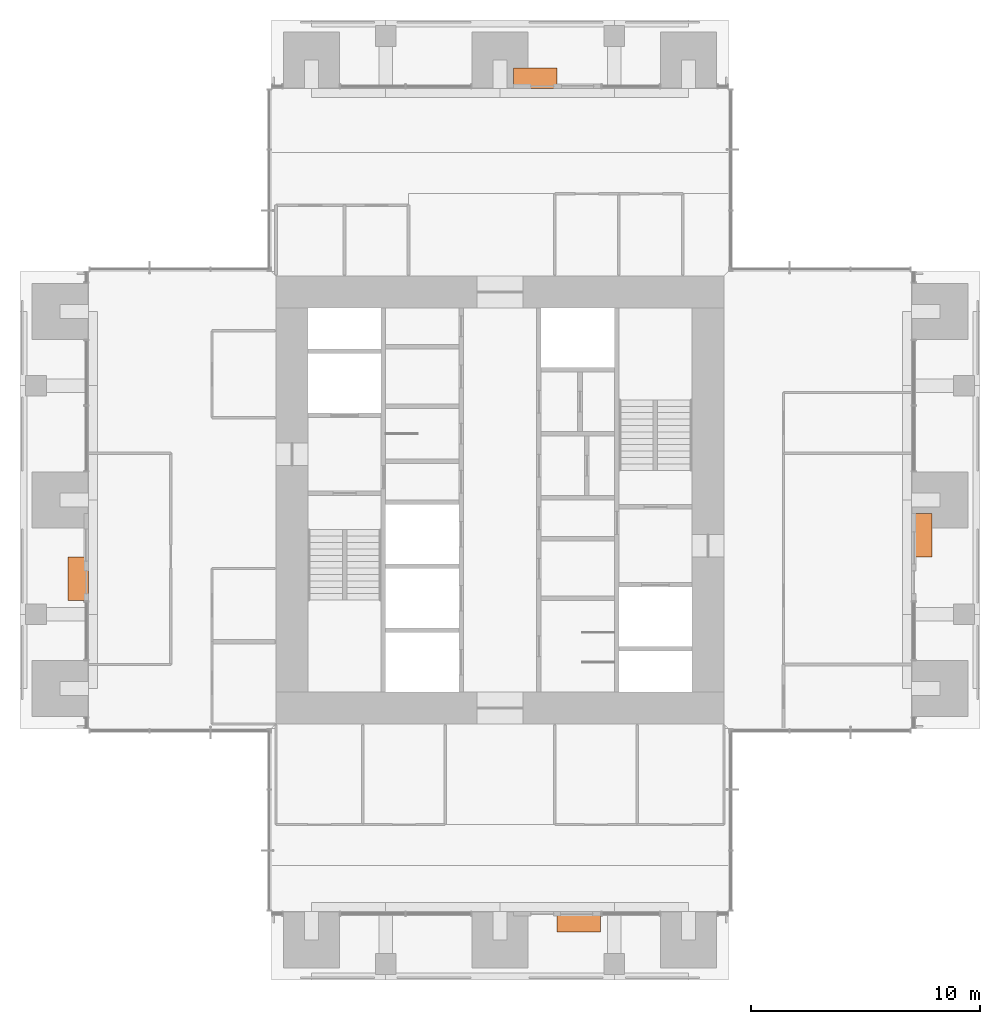
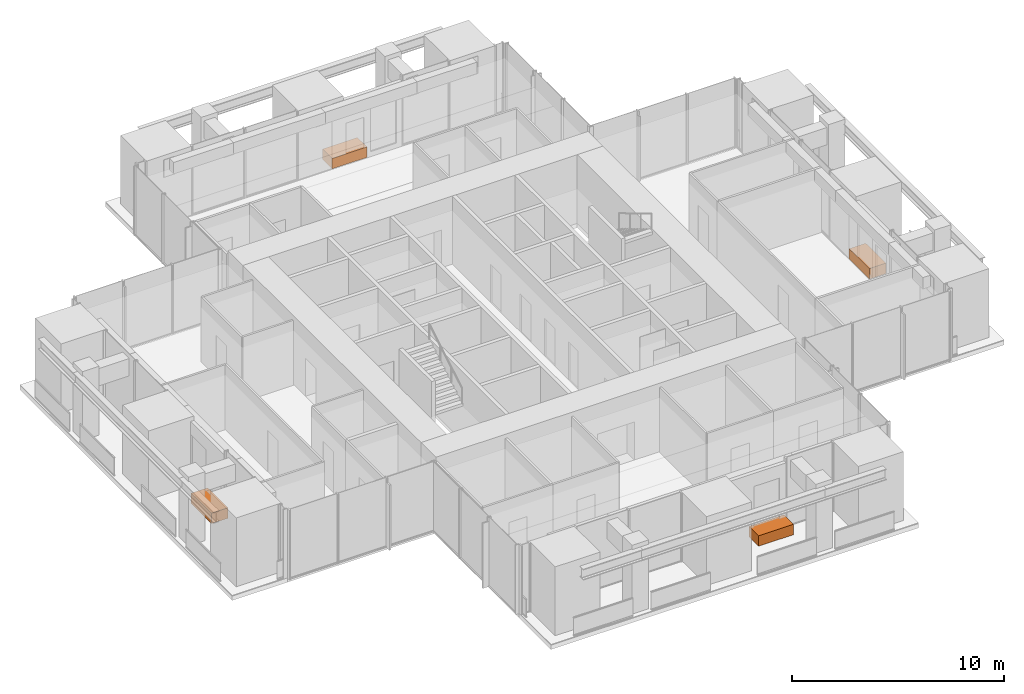
# One storey, part 17 of 17: 4 proxies.
"""IFC4 building model written with IfcOpenShell, lengths in metres."""

from ifc_helpers import new_model, si_unit, direction, frame, origin, origin_2d, place, context, subcontext, project, spatial, rectangle, extrude, element, save


model = new_model("IFC4")

# Units and contexts
model_context = context("Model", 3, precision=1e-05, world=origin(), true_north=direction((0.0, 1.0)))
body_context = subcontext(model_context, "Body", "Model", "MODEL_VIEW")
ifc_project = project(units=[si_unit("LENGTHUNIT", "METRE"), si_unit("AREAUNIT", "SQUARE_METRE"), si_unit("VOLUMEUNIT", "CUBIC_METRE"), si_unit("PLANEANGLEUNIT", "RADIAN"), si_unit("MASSUNIT", "GRAM", prefix="KILO")], contexts=[model_context])

# Site, building, storey
site_placement = place(None, origin())
site = spatial("IfcSite", under=ifc_project, at=site_placement, CompositionType="ELEMENT")
building_placement = place(site_placement, origin())
building = spatial("IfcBuilding", under=site, at=building_placement, Name="Svetlomir Tower", CompositionType="ELEMENT")
storey_placement = place(building_placement, frame((0.0, 0.0, 202.5)))
storey = spatial("IfcBuildingStorey", under=building, at=storey_placement, Name="L48", CompositionType="ELEMENT", Elevation=202.5)

# Proxies
proxy_1_placement = place(storey_placement, frame((24.449951171875, 2.550048828125, 0.0400390625), z_axis=(0.0, 0.0, 1.0), x_axis=(1.0, 0.0, 0.0)))
element("IfcBuildingElementProxy", 1, at=proxy_1_placement, inside=storey, Name="Tree planter S L48", ObjectType="PLANTER", PredefinedType="USERDEFINED", context=body_context, shape_type="SweptSolid", body=[
    extrude(rectangle(XDim=1.89990234375, YDim=0.89990234375, at=origin_2d()), origin(), (0.0, 0.0, 1.0), 0.60009765625),
])
proxy_2_placement = place(storey_placement, frame((39.449951171875, 19.449951171875, 0.0400390625), z_axis=(0.0, 0.0, 1.0), x_axis=(1.0, 0.0, 0.0)))
element("IfcBuildingElementProxy", 2, at=proxy_2_placement, inside=storey, Name="Tree planter E L48", ObjectType="PLANTER", PredefinedType="USERDEFINED", context=body_context, shape_type="SweptSolid", body=[
    extrude(rectangle(XDim=0.89990234375, YDim=1.89990234375, at=origin_2d()), origin(), (0.0, 0.0, 1.0), 0.60009765625),
])
proxy_3_placement = place(storey_placement, frame((22.550048828125, 39.449951171875, 0.0400390625), z_axis=(0.0, 0.0, 1.0), x_axis=(1.0, 0.0, 0.0)))
element("IfcBuildingElementProxy", 3, at=proxy_3_placement, inside=storey, Name="Tree planter N L48", ObjectType="PLANTER", PredefinedType="USERDEFINED", context=body_context, shape_type="SweptSolid", body=[
    extrude(rectangle(XDim=1.89990234375, YDim=0.89990234375, at=origin_2d()), origin(), (0.0, 0.0, 1.0), 0.60009765625),
])
proxy_4_placement = place(storey_placement, frame((2.550048828125, 17.550048828125, 0.0400390625), z_axis=(0.0, 0.0, 1.0), x_axis=(1.0, 0.0, 0.0)))
element("IfcBuildingElementProxy", 4, at=proxy_4_placement, inside=storey, Name="Tree planter W L48", ObjectType="PLANTER", PredefinedType="USERDEFINED", context=body_context, shape_type="SweptSolid", body=[
    extrude(rectangle(XDim=0.89990234375, YDim=1.89990234375, at=origin_2d()), origin(), (0.0, 0.0, 1.0), 0.60009765625),
])

save(model, "model.ifc")
